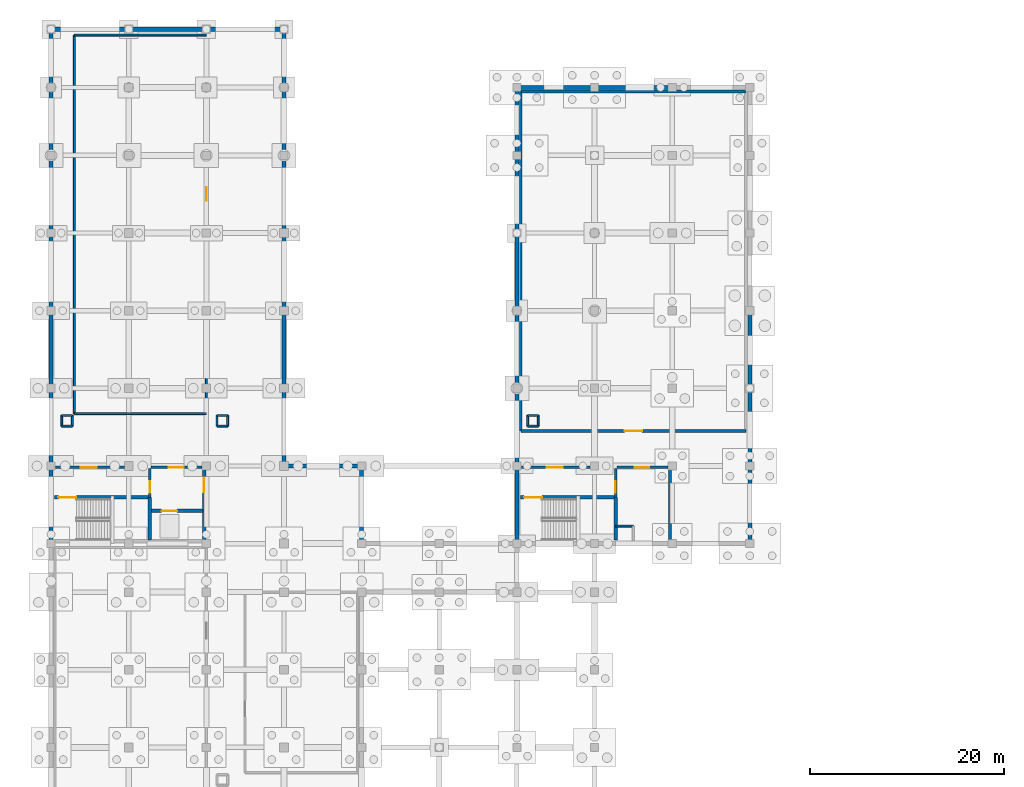
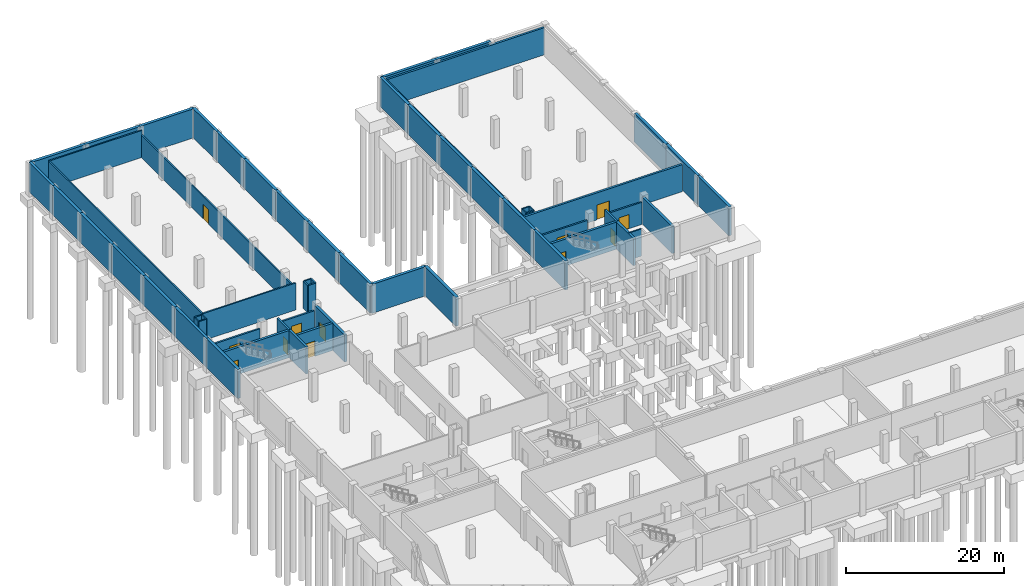
# One storey, part 16 of 26: 62 walls, 12 doors, 12 openings.
"""IFC4 building model written with IfcOpenShell, lengths in metres."""

from ifc_helpers import new_model, si_unit, direction, frame, frame_2d, origin, place, context, subcontext, project, spatial, rectangle, extrude, material, layer, layer_set, type_object, element, fill, save


model = new_model("IFC4")

# Units and contexts
model_context = context("Model", 3, precision=1e-05, world=origin(), true_north=direction((0.0, 1.0)))
body_context = subcontext(model_context, "Body", "Model", "MODEL_VIEW")
ifc_project = project(units=[si_unit("LENGTHUNIT", "METRE"), si_unit("AREAUNIT", "SQUARE_METRE"), si_unit("VOLUMEUNIT", "CUBIC_METRE"), si_unit("PLANEANGLEUNIT", "RADIAN"), si_unit("MASSUNIT", "GRAM", prefix="KILO")], contexts=[model_context])

# Site, building, storey
site_placement = place(None, origin())
site = spatial("IfcSite", under=ifc_project, at=site_placement, CompositionType="ELEMENT")
building_placement = place(site_placement, origin())
building = spatial("IfcBuilding", under=site, at=building_placement, Name="Qorikala Patio Media Centre", CompositionType="ELEMENT")
storey_placement = place(building_placement, frame((0.0, 0.0, -4.5)))
storey = spatial("IfcBuildingStorey", under=building, at=storey_placement, Name="B1", CompositionType="ELEMENT", Elevation=-4.5)

# Wall, opening, door
ifc_material_1 = material(Name="Concrete C35/45", Category="concrete")
ifc_layer_1 = layer(ifc_material_1, 0.300048828125)
ifc_layer_set_1 = layer_set([ifc_layer_1], Name="Concrete C35/45")
wall_type_1 = type_object("IfcWallType", Name="WL-AC-300", PredefinedType="SHEAR", material=ifc_layer_set_1)
wall_1_placement = place(storey_placement, frame((51.39990234375, 75.60009765625, 0.0), z_axis=(0.0, 0.0, 1.0), x_axis=(1.0, 0.0, 0.0)))
wall_1 = element("IfcWall", 1, at=wall_1_placement, inside=storey, type_object=wall_type_1, Name="B1 Interior Wall WINT-B1-PLT2-S", PredefinedType="SHEAR", context=body_context, shape_type="SweptSolid", body=[
    extrude(rectangle(XDim=23.2001953125, YDim=0.300048828125, at=frame_2d((11.60009765625, 0.0))), origin(), (0.0, 0.0, 1.0), 4.199951171875),
])
opening_1_placement = place(wall_1_placement, frame((10.699951171875, 0.0, 0.0)))
opening_1 = element("IfcOpeningElement", 2, at=opening_1_placement, cuts=wall_1, Name="Opening D224", PredefinedType="OPENING", context=body_context, shape_type="SweptSolid", body=[
    extrude(rectangle(XDim=1.800048828125, YDim=2.300048828125, at=frame_2d((0.89990234375, 1.14990234375))), frame((0.0, 0.159912109375, 0.0), z_axis=(0.0, -1.0, 0.0), x_axis=(1.0, 0.0, 0.0)), (0.0, 0.0, 1.0), 0.320068359375),
])
ifc_material_2 = material(Name="Powder-Coated Acoustic Fire Steel", Category="steel")
door_type_1 = type_object("IfcDoorType", Name="DR-FD90-180X230", OperationType="DOUBLE_DOOR_SINGLE_SWING", PredefinedType="DOOR", material=ifc_material_2)
door_1_placement = place(opening_1_placement, origin())
door_1 = element("IfcDoor", 3, at=door_1_placement, inside=storey, type_object=door_type_1, Name="Primary Heat Pump and Fire Water Plant Door 013", OperationType="DOUBLE_DOOR_SINGLE_SWING", OverallHeight=2.300048828125, OverallWidth=1.800048828125, PredefinedType="DOOR", context=body_context, shape_type="SweptSolid", body=[
    extrude(rectangle(XDim=1.800048828125, YDim=2.300048828125, at=frame_2d((0.89990234375, 1.14990234375))), frame((0.0, 0.02490234375, 0.0), z_axis=(0.0, -1.0, 0.0), x_axis=(1.0, 0.0, 0.0)), (0.0, 0.0, 1.0), 0.050048828125),
])
fill(opening_1, door_1)

# Walls
wall_2_placement = place(storey_placement, frame((51.39990234375, 110.60009765625, 0.0), z_axis=(0.0, 0.0, 1.0), x_axis=(1.0, 0.0, 0.0)))
element("IfcWall", 4, at=wall_2_placement, inside=storey, type_object=wall_type_1, Name="B1 Interior Wall WINT-B1-PLT2-N", PredefinedType="SHEAR", context=body_context, shape_type="SweptSolid", body=[
    extrude(rectangle(XDim=23.2001953125, YDim=0.300048828125, at=frame_2d((11.60009765625, 0.0))), origin(), (0.0, 0.0, 1.0), 4.199951171875),
])
wall_3_placement = place(storey_placement, frame((51.39990234375, 75.60009765625, 0.0), z_axis=(0.0, 0.0, 1.0), x_axis=(0.0, 1.0, 0.0)))
element("IfcWall", 5, at=wall_3_placement, inside=storey, type_object=wall_type_1, Name="B1 Interior Wall WINT-B1-PLT2-W", PredefinedType="SHEAR", context=body_context, shape_type="SweptSolid", body=[
    extrude(rectangle(XDim=35.0, YDim=0.300048828125, at=frame_2d((17.5, 0.0))), origin(), (0.0, 0.0, 1.0), 4.199951171875),
])
ifc_layer_2 = layer(ifc_material_1, 0.35009765625)
ifc_layer_set_2 = layer_set([ifc_layer_2], Name="Concrete C35/45")
wall_type_2 = type_object("IfcWallType", Name="WL-CORE-350", PredefinedType="SHEAR", material=ifc_layer_set_2)
wall_4_placement = place(storey_placement, frame((13.175048828125, 64.35009765625, 0.0), z_axis=(0.0, 0.0, 1.0), x_axis=(0.0, 1.0, 0.0)))
element("IfcWall", 6, at=wall_4_placement, inside=storey, type_object=wall_type_2, Name="B1 Interior Wall CW-B1-C3-SE", PredefinedType="SHEAR", context=body_context, shape_type="SweptSolid", body=[
    extrude(rectangle(XDim=4.4248046875, YDim=0.35009765625, at=frame_2d((2.21240234375, 0.0))), origin(), (0.0, 0.0, 1.0), 4.199951171875),
])

# Wall, opening, door
wall_5_placement = place(storey_placement, frame((18.77490234375, 64.199951171875, 0.0), z_axis=(0.0, 0.0, 1.0), x_axis=(0.0, 1.0, 0.0)))
wall_5 = element("IfcWall", 7, at=wall_5_placement, inside=storey, type_object=wall_type_2, Name="B1 Interior Wall CW-B1-C3-EE", PredefinedType="SHEAR", context=body_context, shape_type="SweptSolid", body=[
    extrude(rectangle(XDim=7.60009765625, YDim=0.35009765625, at=frame_2d((3.800048828125, 0.0))), origin(), (0.0, 0.0, 1.0), 4.199951171875),
])
opening_2_placement = place(wall_5_placement, frame((5.10009765625, 0.0, 0.0)))
opening_2 = element("IfcOpeningElement", 8, at=opening_2_placement, cuts=wall_5, Name="Opening D095", PredefinedType="OPENING", context=body_context, shape_type="SweptSolid", body=[
    extrude(rectangle(XDim=1.5, YDim=2.199951171875, at=frame_2d((0.75, 1.10009765625))), frame((0.0, 0.18505859375, 0.0), z_axis=(0.0, -1.0, 0.0), x_axis=(1.0, 0.0, 0.0)), (0.0, 0.0, 1.0), 0.3701171875),
])
door_type_2 = type_object("IfcDoorType", Name="DR-FD60-150X220", OperationType="DOUBLE_DOOR_SINGLE_SWING", PredefinedType="DOOR", material=ifc_material_2)
door_2_placement = place(opening_2_placement, origin())
door_2 = element("IfcDoor", 9, at=door_2_placement, inside=storey, type_object=door_type_2, Name="B1 Core C3 East Corridor Fire Door", OperationType="DOUBLE_DOOR_SINGLE_SWING", OverallHeight=2.199951171875, OverallWidth=1.5, PredefinedType="DOOR", context=body_context, shape_type="SweptSolid", body=[
    extrude(rectangle(XDim=1.5, YDim=2.199951171875, at=frame_2d((0.75, 1.10009765625))), frame((0.0, 0.02490234375, 0.0), z_axis=(0.0, -1.0, 0.0), x_axis=(1.0, 0.0, 0.0)), (0.0, 0.0, 1.0), 0.050048828125),
])
fill(opening_2, door_2)

wall_6_placement = place(storey_placement, frame((3.35009765625, 68.77490234375, 0.0), z_axis=(0.0, 0.0, 1.0), x_axis=(1.0, 0.0, 0.0)))
wall_6 = element("IfcWall", 10, at=wall_6_placement, inside=storey, type_object=wall_type_2, Name="B1 Interior Wall CW-B1-C3-SN", PredefinedType="SHEAR", context=body_context, shape_type="SweptSolid", body=[
    extrude(rectangle(XDim=9.824951171875, YDim=0.35009765625, at=frame_2d((4.91259765625, 0.0))), origin(), (0.0, 0.0, 1.0), 4.199951171875),
])
opening_3_placement = place(wall_6_placement, frame((0.39990234375, 0.0, 0.0)))
opening_3 = element("IfcOpeningElement", 11, at=opening_3_placement, cuts=wall_6, Name="Opening D091", PredefinedType="OPENING", context=body_context, shape_type="SweptSolid", body=[
    extrude(rectangle(XDim=1.85009765625, YDim=2.25, at=frame_2d((0.925048828125, 1.125))), frame((0.0, 0.18505859375, 0.0), z_axis=(0.0, -1.0, 0.0), x_axis=(1.0, 0.0, 0.0)), (0.0, 0.0, 1.0), 0.3701171875),
])
door_type_3 = type_object("IfcDoorType", Name="DR-FD60-185X225", OperationType="DOUBLE_DOOR_SINGLE_SWING", PredefinedType="DOOR", material=ifc_material_2)
door_3_placement = place(opening_3_placement, origin())
door_3 = element("IfcDoor", 12, at=door_3_placement, inside=storey, type_object=door_type_3, Name="B1 Stair ST-3 Fire Door", OperationType="DOUBLE_DOOR_SINGLE_SWING", OverallHeight=2.25, OverallWidth=1.85009765625, PredefinedType="DOOR", context=body_context, shape_type="SweptSolid", body=[
    extrude(rectangle(XDim=1.85009765625, YDim=2.25, at=frame_2d((0.925048828125, 1.125))), frame((0.0, 0.02490234375, 0.0), z_axis=(0.0, -1.0, 0.0), x_axis=(1.0, 0.0, 0.0)), (0.0, 0.0, 1.0), 0.050048828125),
])
fill(opening_3, door_3)

wall_7_placement = place(storey_placement, frame((13.175048828125, 67.375, 0.0), z_axis=(0.0, 0.0, 1.0), x_axis=(1.0, 0.0, 0.0)))
wall_7 = element("IfcWall", 13, at=wall_7_placement, inside=storey, type_object=wall_type_2, Name="B1 Interior Wall CW-B1-C3-LFN", PredefinedType="SHEAR", context=body_context, shape_type="SweptSolid", body=[
    extrude(rectangle(XDim=5.474853515625, YDim=0.35009765625, at=frame_2d((2.7373046875, 0.0))), origin(), (0.0, 0.0, 1.0), 4.199951171875),
])
opening_4_placement = place(wall_7_placement, frame((1.22509765625, 0.0, 0.0)))
opening_4 = element("IfcOpeningElement", 14, at=opening_4_placement, cuts=wall_7, Name="Opening LD24", PredefinedType="OPENING", context=body_context, shape_type="SweptSolid", body=[
    extrude(rectangle(XDim=1.60009765625, YDim=2.39990234375, at=frame_2d((0.800048828125, 1.199951171875))), frame((0.0, 0.18505859375, 0.0), z_axis=(0.0, -1.0, 0.0), x_axis=(1.0, 0.0, 0.0)), (0.0, 0.0, 1.0), 0.3701171875),
])
ifc_material_3 = material(Name="Heavy Stainless Steel Freight", Category="steel")
door_type_4 = type_object("IfcDoorType", Name="DR-LD-160X240", OperationType="DOUBLE_DOOR_SLIDING", PredefinedType="DOOR", material=ifc_material_3)
door_4_placement = place(opening_4_placement, origin())
door_4 = element("IfcDoor", 15, at=door_4_placement, inside=storey, type_object=door_type_4, Name="B1 Lift LS-01 Sliding Landing Door", OperationType="DOUBLE_DOOR_SLIDING", OverallHeight=2.39990234375, OverallWidth=1.60009765625, PredefinedType="DOOR", context=body_context, shape_type="SweptSolid", body=[
    extrude(rectangle(XDim=1.60009765625, YDim=2.39990234375, at=frame_2d((0.800048828125, 1.199951171875))), frame((0.0, 0.02490234375, 0.0), z_axis=(0.0, -1.0, 0.0), x_axis=(1.0, 0.0, 0.0)), (0.0, 0.0, 1.0), 0.050048828125),
])
fill(opening_4, door_4)

# Walls
wall_8_placement = place(storey_placement, frame((61.175048828125, 64.35009765625, 0.0), z_axis=(0.0, 0.0, 1.0), x_axis=(0.0, 1.0, 0.0)))
element("IfcWall", 16, at=wall_8_placement, inside=storey, type_object=wall_type_2, Name="B1 Interior Wall CW-B1-C6-SE", PredefinedType="SHEAR", context=body_context, shape_type="SweptSolid", body=[
    extrude(rectangle(XDim=4.4248046875, YDim=0.35009765625, at=frame_2d((2.21240234375, 0.0))), origin(), (0.0, 0.0, 1.0), 4.199951171875),
])
wall_9_placement = place(storey_placement, frame((66.77490234375, 64.199951171875, 0.0), z_axis=(0.0, 0.0, 1.0), x_axis=(0.0, 1.0, 0.0)))
element("IfcWall", 17, at=wall_9_placement, inside=storey, type_object=wall_type_2, Name="B1 Interior Wall CW-B1-C6-EE", PredefinedType="SHEAR", context=body_context, shape_type="SweptSolid", body=[
    extrude(rectangle(XDim=7.60009765625, YDim=0.35009765625, at=frame_2d((3.800048828125, 0.0))), origin(), (0.0, 0.0, 1.0), 4.199951171875),
])

# Wall, opening, door
wall_10_placement = place(storey_placement, frame((51.35009765625, 68.77490234375, 0.0), z_axis=(0.0, 0.0, 1.0), x_axis=(1.0, 0.0, 0.0)))
wall_10 = element("IfcWall", 18, at=wall_10_placement, inside=storey, type_object=wall_type_2, Name="B1 Interior Wall CW-B1-C6-SN", PredefinedType="SHEAR", context=body_context, shape_type="SweptSolid", body=[
    extrude(rectangle(XDim=9.824951171875, YDim=0.35009765625, at=frame_2d((4.91259765625, 0.0))), origin(), (0.0, 0.0, 1.0), 4.199951171875),
])
opening_5_placement = place(wall_10_placement, frame((0.39990234375, 0.0, 0.0)))
opening_5 = element("IfcOpeningElement", 19, at=opening_5_placement, cuts=wall_10, Name="Opening D176", PredefinedType="OPENING", context=body_context, shape_type="SweptSolid", body=[
    extrude(rectangle(XDim=1.85009765625, YDim=2.25, at=frame_2d((0.925048828125, 1.125))), frame((0.0, 0.18505859375, 0.0), z_axis=(0.0, -1.0, 0.0), x_axis=(1.0, 0.0, 0.0)), (0.0, 0.0, 1.0), 0.3701171875),
])
door_5_placement = place(opening_5_placement, origin())
door_5 = element("IfcDoor", 20, at=door_5_placement, inside=storey, type_object=door_type_3, Name="B1 Stair ST-6 Fire Door", OperationType="DOUBLE_DOOR_SINGLE_SWING", OverallHeight=2.25, OverallWidth=1.85009765625, PredefinedType="DOOR", context=body_context, shape_type="SweptSolid", body=[
    extrude(rectangle(XDim=1.85009765625, YDim=2.25, at=frame_2d((0.925048828125, 1.125))), frame((0.0, 0.02490234375, 0.0), z_axis=(0.0, -1.0, 0.0), x_axis=(1.0, 0.0, 0.0)), (0.0, 0.0, 1.0), 0.050048828125),
])
fill(opening_5, door_5)

ifc_layer_3 = layer(ifc_material_1, 0.25)
ifc_layer_set_3 = layer_set([ifc_layer_3], Name="Concrete C35/45")
wall_type_3 = type_object("IfcWallType", Name="WL-FFL-250", PredefinedType="PARTITIONING", material=ifc_layer_set_3)
wall_11_placement = place(storey_placement, frame((13.175048828125, 68.77490234375, 0.0), z_axis=(0.0, 0.0, 1.0), x_axis=(0.0, 1.0, 0.0)))
wall_11 = element("IfcWall", 21, at=wall_11_placement, inside=storey, type_object=wall_type_3, Name="B1 Interior Wall CW-B1-C3-LBD", PredefinedType="PARTITIONING", context=body_context, shape_type="SweptSolid", body=[
    extrude(rectangle(XDim=2.97509765625, YDim=0.25, at=frame_2d((1.487548828125, 0.0))), origin(), (0.0, 0.0, 1.0), 4.199951171875),
])
opening_6_placement = place(wall_11_placement, frame((0.449951171875, 0.0, 0.0)))
opening_6 = element("IfcOpeningElement", 22, at=opening_6_placement, cuts=wall_11, Name="Opening D092", PredefinedType="OPENING", context=body_context, shape_type="SweptSolid", body=[
    extrude(rectangle(XDim=1.199951171875, YDim=2.199951171875, at=frame_2d((0.60009765625, 1.10009765625))), frame((0.0, 0.135009765625, 0.0), z_axis=(0.0, -1.0, 0.0), x_axis=(1.0, 0.0, 0.0)), (0.0, 0.0, 1.0), 0.27001953125),
])
ifc_material_4 = material(Name="Acoustic Fire Timber and Steel", Category="steel")
door_type_5 = type_object("IfcDoorType", Name="DR-FD60-120X220", OperationType="NOTDEFINED", PredefinedType="DOOR", material=ifc_material_4)
door_6_placement = place(opening_6_placement, origin())
door_6 = element("IfcDoor", 23, at=door_6_placement, inside=storey, type_object=door_type_5, Name="B1 Core C3 Firefighting Lobby Cross Door", OperationType="SINGLE_SWING_LEFT", OverallHeight=2.199951171875, OverallWidth=1.199951171875, PredefinedType="DOOR", context=body_context, shape_type="SweptSolid", body=[
    extrude(rectangle(XDim=1.199951171875, YDim=2.199951171875, at=frame_2d((0.60009765625, 1.10009765625))), frame((0.0, 0.02490234375, 0.0), z_axis=(0.0, -1.0, 0.0), x_axis=(1.0, 0.0, 0.0)), (0.0, 0.0, 1.0), 0.050048828125),
])
fill(opening_6, door_6)

wall_12_placement = place(storey_placement, frame((3.449951171875, 71.85009765625, 0.0), z_axis=(0.0, 0.0, 1.0), x_axis=(1.0, 0.0, 0.0)))
wall_12 = element("IfcWall", 24, at=wall_12_placement, inside=storey, type_object=wall_type_3, Name="B1 Interior Wall CW-B1-C3-CN1", PredefinedType="PARTITIONING", context=body_context, shape_type="SweptSolid", body=[
    extrude(rectangle(XDim=7.10009765625, YDim=0.25, at=frame_2d((3.550048828125, 0.0))), origin(), (0.0, 0.0, 1.0), 3.43505859375),
])
opening_7_placement = place(wall_12_placement, frame((2.60009765625, 0.0, 0.0)))
opening_7 = element("IfcOpeningElement", 25, at=opening_7_placement, cuts=wall_12, Name="Opening D093", PredefinedType="OPENING", context=body_context, shape_type="SweptSolid", body=[
    extrude(rectangle(XDim=1.64990234375, YDim=2.25, at=frame_2d((0.824951171875, 1.125))), frame((0.0, 0.135009765625, 0.0), z_axis=(0.0, -1.0, 0.0), x_axis=(1.0, 0.0, 0.0)), (0.0, 0.0, 1.0), 0.27001953125),
])
door_type_6 = type_object("IfcDoorType", Name="DR-FD60-165X225", OperationType="DOUBLE_DOOR_SINGLE_SWING", PredefinedType="DOOR", material=ifc_material_2)
door_7_placement = place(opening_7_placement, frame((1.64990234375, 0.0, 0.0), z_axis=(0.0, 0.0, 1.0), x_axis=(-1.0, 0.0, 0.0)))
door_7 = element("IfcDoor", 26, at=door_7_placement, inside=storey, type_object=door_type_6, Name="B1 Core C3 Vestibule Door", OperationType="DOUBLE_DOOR_SINGLE_SWING", OverallHeight=2.25, OverallWidth=1.64990234375, PredefinedType="DOOR", context=body_context, shape_type="SweptSolid", body=[
    extrude(rectangle(XDim=1.64990234375, YDim=2.25, at=frame_2d((0.824951171875, 1.125))), frame((0.0, 0.02490234375, 0.0), z_axis=(0.0, -1.0, 0.0), x_axis=(1.0, 0.0, 0.0)), (0.0, 0.0, 1.0), 0.050048828125),
])
fill(opening_7, door_7)

wall_13_placement = place(storey_placement, frame((13.300048828125, 71.85009765625, 0.0), z_axis=(0.0, 0.0, 1.0), x_axis=(1.0, 0.0, 0.0)))
wall_13 = element("IfcWall", 27, at=wall_13_placement, inside=storey, type_object=wall_type_3, Name="B1 Interior Wall CW-B1-C3-CN2", PredefinedType="PARTITIONING", context=body_context, shape_type="SweptSolid", body=[
    extrude(rectangle(XDim=5.25, YDim=0.25, at=frame_2d((2.625, 0.0))), origin(), (0.0, 0.0, 1.0), 3.43505859375),
])
opening_8_placement = place(wall_13_placement, frame((1.85009765625, 0.0, 0.0)))
opening_8 = element("IfcOpeningElement", 28, at=opening_8_placement, cuts=wall_13, Name="Opening D094", PredefinedType="OPENING", context=body_context, shape_type="SweptSolid", body=[
    extrude(rectangle(XDim=1.5, YDim=2.199951171875, at=frame_2d((0.75, 1.10009765625))), frame((0.0, 0.135009765625, 0.0), z_axis=(0.0, -1.0, 0.0), x_axis=(1.0, 0.0, 0.0)), (0.0, 0.0, 1.0), 0.27001953125),
])
door_8_placement = place(opening_8_placement, origin())
door_8 = element("IfcDoor", 29, at=door_8_placement, inside=storey, type_object=door_type_2, Name="B1 Core C3 Firefighting Lobby Door", OperationType="DOUBLE_DOOR_SINGLE_SWING", OverallHeight=2.199951171875, OverallWidth=1.5, PredefinedType="DOOR", context=body_context, shape_type="SweptSolid", body=[
    extrude(rectangle(XDim=1.5, YDim=2.199951171875, at=frame_2d((0.75, 1.10009765625))), frame((0.0, 0.02490234375, 0.0), z_axis=(0.0, -1.0, 0.0), x_axis=(1.0, 0.0, 0.0)), (0.0, 0.0, 1.0), 0.050048828125),
])
fill(opening_8, door_8)

wall_14_placement = place(storey_placement, frame((61.175048828125, 68.77490234375, 0.0), z_axis=(0.0, 0.0, 1.0), x_axis=(0.0, 1.0, 0.0)))
wall_14 = element("IfcWall", 30, at=wall_14_placement, inside=storey, type_object=wall_type_3, Name="B1 Interior Wall CW-B1-C6-LBD", PredefinedType="PARTITIONING", context=body_context, shape_type="SweptSolid", body=[
    extrude(rectangle(XDim=2.97509765625, YDim=0.25, at=frame_2d((1.487548828125, 0.0))), origin(), (0.0, 0.0, 1.0), 4.199951171875),
])
opening_9_placement = place(wall_14_placement, frame((0.449951171875, 0.0, 0.0)))
opening_9 = element("IfcOpeningElement", 31, at=opening_9_placement, cuts=wall_14, Name="Opening D177", PredefinedType="OPENING", context=body_context, shape_type="SweptSolid", body=[
    extrude(rectangle(XDim=1.199951171875, YDim=2.199951171875, at=frame_2d((0.60009765625, 1.10009765625))), frame((0.0, 0.135009765625, 0.0), z_axis=(0.0, -1.0, 0.0), x_axis=(1.0, 0.0, 0.0)), (0.0, 0.0, 1.0), 0.27001953125),
])
door_9_placement = place(opening_9_placement, origin())
door_9 = element("IfcDoor", 32, at=door_9_placement, inside=storey, type_object=door_type_5, Name="B1 Core C6 Firefighting Lobby Cross Door", OperationType="SINGLE_SWING_LEFT", OverallHeight=2.199951171875, OverallWidth=1.199951171875, PredefinedType="DOOR", context=body_context, shape_type="SweptSolid", body=[
    extrude(rectangle(XDim=1.199951171875, YDim=2.199951171875, at=frame_2d((0.60009765625, 1.10009765625))), frame((0.0, 0.02490234375, 0.0), z_axis=(0.0, -1.0, 0.0), x_axis=(1.0, 0.0, 0.0)), (0.0, 0.0, 1.0), 0.050048828125),
])
fill(opening_9, door_9)

wall_15_placement = place(storey_placement, frame((51.449951171875, 71.85009765625, 0.0), z_axis=(0.0, 0.0, 1.0), x_axis=(1.0, 0.0, 0.0)))
wall_15 = element("IfcWall", 33, at=wall_15_placement, inside=storey, type_object=wall_type_3, Name="B1 Interior Wall CW-B1-C6-CN1", PredefinedType="PARTITIONING", context=body_context, shape_type="SweptSolid", body=[
    extrude(rectangle(XDim=7.10009765625, YDim=0.25, at=frame_2d((3.550048828125, 0.0))), origin(), (0.0, 0.0, 1.0), 3.43505859375),
])
opening_10_placement = place(wall_15_placement, frame((2.60009765625, 0.0, 0.0)))
opening_10 = element("IfcOpeningElement", 34, at=opening_10_placement, cuts=wall_15, Name="Opening D178", PredefinedType="OPENING", context=body_context, shape_type="SweptSolid", body=[
    extrude(rectangle(XDim=1.64990234375, YDim=2.25, at=frame_2d((0.824951171875, 1.125))), frame((0.0, 0.135009765625, 0.0), z_axis=(0.0, -1.0, 0.0), x_axis=(1.0, 0.0, 0.0)), (0.0, 0.0, 1.0), 0.27001953125),
])
door_10_placement = place(opening_10_placement, frame((1.64990234375, 0.0, 0.0), z_axis=(0.0, 0.0, 1.0), x_axis=(-1.0, 0.0, 0.0)))
door_10 = element("IfcDoor", 35, at=door_10_placement, inside=storey, type_object=door_type_6, Name="B1 Core C6 Vestibule Door", OperationType="DOUBLE_DOOR_SINGLE_SWING", OverallHeight=2.25, OverallWidth=1.64990234375, PredefinedType="DOOR", context=body_context, shape_type="SweptSolid", body=[
    extrude(rectangle(XDim=1.64990234375, YDim=2.25, at=frame_2d((0.824951171875, 1.125))), frame((0.0, 0.02490234375, 0.0), z_axis=(0.0, -1.0, 0.0), x_axis=(1.0, 0.0, 0.0)), (0.0, 0.0, 1.0), 0.050048828125),
])
fill(opening_10, door_10)

wall_16_placement = place(storey_placement, frame((61.300048828125, 71.85009765625, 0.0), z_axis=(0.0, 0.0, 1.0), x_axis=(1.0, 0.0, 0.0)))
wall_16 = element("IfcWall", 36, at=wall_16_placement, inside=storey, type_object=wall_type_3, Name="B1 Interior Wall CW-B1-C6-CN2", PredefinedType="PARTITIONING", context=body_context, shape_type="SweptSolid", body=[
    extrude(rectangle(XDim=5.25, YDim=0.25, at=frame_2d((2.625, 0.0))), origin(), (0.0, 0.0, 1.0), 3.43505859375),
])
opening_11_placement = place(wall_16_placement, frame((1.85009765625, 0.0, 0.0)))
opening_11 = element("IfcOpeningElement", 37, at=opening_11_placement, cuts=wall_16, Name="Opening D179", PredefinedType="OPENING", context=body_context, shape_type="SweptSolid", body=[
    extrude(rectangle(XDim=1.5, YDim=2.199951171875, at=frame_2d((0.75, 1.10009765625))), frame((0.0, 0.135009765625, 0.0), z_axis=(0.0, -1.0, 0.0), x_axis=(1.0, 0.0, 0.0)), (0.0, 0.0, 1.0), 0.27001953125),
])
door_11_placement = place(opening_11_placement, origin())
door_11 = element("IfcDoor", 38, at=door_11_placement, inside=storey, type_object=door_type_2, Name="B1 Core C6 Firefighting Lobby Door", OperationType="DOUBLE_DOOR_SINGLE_SWING", OverallHeight=2.199951171875, OverallWidth=1.5, PredefinedType="DOOR", context=body_context, shape_type="SweptSolid", body=[
    extrude(rectangle(XDim=1.5, YDim=2.199951171875, at=frame_2d((0.75, 1.10009765625))), frame((0.0, 0.02490234375, 0.0), z_axis=(0.0, -1.0, 0.0), x_axis=(1.0, 0.0, 0.0)), (0.0, 0.0, 1.0), 0.050048828125),
])
fill(opening_11, door_11)

# Walls
ifc_material_5 = material(Name="Concrete C30/37", Category="concrete")
ifc_layer_4 = layer(ifc_material_5, 0.419921875)
ifc_layer_set_4 = layer_set([ifc_layer_4], Name="Concrete C30/37")
wall_type_4 = type_object("IfcWallType", Name="WL-RET-420", PredefinedType="USERDEFINED", material=ifc_layer_set_4)
for number, where, z_axis, x_axis, name in (
    (39, (3.0, 64.0, 0.0), (0.0, 0.0, 1.0), (0.0, 1.0, 0.0), "B1 Perimeter Retaining Wall WL-B1-RET-044"),
    (40, (3.0, 72.0, 0.0), (0.0, 0.0, 1.0), (0.0, 1.0, 0.0), "B1 Perimeter Retaining Wall WL-B1-RET-045"),
    (41, (3.0, 80.0, 0.0), (0.0, 0.0, 1.0), (0.0, 1.0, 0.0), "B1 Perimeter Retaining Wall WL-B1-RET-046"),
    (42, (3.0, 88.0, 0.0), (0.0, 0.0, 1.0), (0.0, 1.0, 0.0), "B1 Perimeter Retaining Wall WL-B1-RET-047"),
    (43, (3.0, 96.0, 0.0), (0.0, 0.0, 1.0), (0.0, 1.0, 0.0), "B1 Perimeter Retaining Wall WL-B1-RET-048"),
):
    element("IfcWall", number, at=place(storey_placement, frame(where, z_axis=z_axis, x_axis=x_axis)), inside=storey, type_object=wall_type_4, Name=name, ObjectType="RETAINING WALL", PredefinedType="USERDEFINED", context=body_context, shape_type="SweptSolid", body=[
        extrude(rectangle(XDim=8.0, YDim=0.419921875, at=frame_2d((4.0, 0.0))), origin(), (0.0, 0.0, 1.0), 4.5),
    ])
wall_17_placement = place(storey_placement, frame((3.0, 104.0, 0.0), z_axis=(0.0, 0.0, 1.0), x_axis=(0.0, 1.0, 0.0)))
element("IfcWall", 44, at=wall_17_placement, inside=storey, type_object=wall_type_4, Name="B1 Perimeter Retaining Wall WL-B1-RET-049", ObjectType="RETAINING WALL", PredefinedType="USERDEFINED", context=body_context, shape_type="SweptSolid", body=[
    extrude(rectangle(XDim=7.0, YDim=0.419921875, at=frame_2d((3.5, 0.0))), origin(), (0.0, 0.0, 1.0), 4.5),
])
wall_18_placement = place(storey_placement, frame((3.0, 111.0, 0.0), z_axis=(0.0, 0.0, 1.0), x_axis=(0.0, 1.0, 0.0)))
element("IfcWall", 45, at=wall_18_placement, inside=storey, type_object=wall_type_4, Name="B1 Perimeter Retaining Wall WL-B1-RET-050", ObjectType="RETAINING WALL", PredefinedType="USERDEFINED", context=body_context, shape_type="SweptSolid", body=[
    extrude(rectangle(XDim=6.0, YDim=0.419921875, at=frame_2d((3.0, 0.0))), origin(), (0.0, 0.0, 1.0), 4.5),
])
for number, where, z_axis, x_axis, name in (
    (46, (3.0, 117.0, 0.0), (0.0, 0.0, 1.0), (1.0, 0.0, 0.0), "B1 Perimeter Retaining Wall WL-B1-RET-051"),
    (47, (11.0, 117.0, 0.0), (0.0, 0.0, 1.0), (1.0, 0.0, 0.0), "B1 Perimeter Retaining Wall WL-B1-RET-052"),
    (48, (19.0, 117.0, 0.0), (0.0, 0.0, 1.0), (1.0, 0.0, 0.0), "B1 Perimeter Retaining Wall WL-B1-RET-053"),
):
    element("IfcWall", number, at=place(storey_placement, frame(where, z_axis=z_axis, x_axis=x_axis)), inside=storey, type_object=wall_type_4, Name=name, ObjectType="RETAINING WALL", PredefinedType="USERDEFINED", context=body_context, shape_type="SweptSolid", body=[
        extrude(rectangle(XDim=8.0, YDim=0.419921875, at=frame_2d((4.0, 0.0))), origin(), (0.0, 0.0, 1.0), 4.5),
    ])
wall_19_placement = place(storey_placement, frame((27.0, 117.0, 0.0), z_axis=(0.0, 0.0, 1.0), x_axis=(0.0, -1.0, 0.0)))
element("IfcWall", 49, at=wall_19_placement, inside=storey, type_object=wall_type_4, Name="B1 Perimeter Retaining Wall WL-B1-RET-054", ObjectType="RETAINING WALL", PredefinedType="USERDEFINED", context=body_context, shape_type="SweptSolid", body=[
    extrude(rectangle(XDim=6.0, YDim=0.419921875, at=frame_2d((3.0, 0.0))), origin(), (0.0, 0.0, 1.0), 4.5),
])
wall_20_placement = place(storey_placement, frame((27.0, 111.0, 0.0), z_axis=(0.0, 0.0, 1.0), x_axis=(0.0, -1.0, 0.0)))
element("IfcWall", 50, at=wall_20_placement, inside=storey, type_object=wall_type_4, Name="B1 Perimeter Retaining Wall WL-B1-RET-055", ObjectType="RETAINING WALL", PredefinedType="USERDEFINED", context=body_context, shape_type="SweptSolid", body=[
    extrude(rectangle(XDim=7.0, YDim=0.419921875, at=frame_2d((3.5, 0.0))), origin(), (0.0, 0.0, 1.0), 4.5),
])
for number, where, z_axis, x_axis, name in (
    (51, (27.0, 104.0, 0.0), (0.0, 0.0, 1.0), (0.0, -1.0, 0.0), "B1 Perimeter Retaining Wall WL-B1-RET-056"),
    (52, (27.0, 96.0, 0.0), (0.0, 0.0, 1.0), (0.0, -1.0, 0.0), "B1 Perimeter Retaining Wall WL-B1-RET-057"),
    (53, (27.0, 88.0, 0.0), (0.0, 0.0, 1.0), (0.0, -1.0, 0.0), "B1 Perimeter Retaining Wall WL-B1-RET-058"),
    (54, (27.0, 80.0, 0.0), (0.0, 0.0, 1.0), (0.0, -1.0, 0.0), "B1 Perimeter Retaining Wall WL-B1-RET-059"),
    (55, (27.0, 72.0, 0.0), (0.0, 0.0, 1.0), (1.0, 0.0, 0.0), "B1 Perimeter Retaining Wall WL-B1-RET-060"),
    (56, (35.0, 72.0, 0.0), (0.0, 0.0, 1.0), (0.0, -1.0, 0.0), "B1 Perimeter Retaining Wall WL-B1-RET-061"),
    (57, (51.0, 64.0, 0.0), (0.0, 0.0, 1.0), (0.0, 1.0, 0.0), "B1 Perimeter Retaining Wall WL-B1-RET-082"),
    (58, (51.0, 72.0, 0.0), (0.0, 0.0, 1.0), (0.0, 1.0, 0.0), "B1 Perimeter Retaining Wall WL-B1-RET-083"),
    (59, (51.0, 80.0, 0.0), (0.0, 0.0, 1.0), (0.0, 1.0, 0.0), "B1 Perimeter Retaining Wall WL-B1-RET-084"),
    (60, (51.0, 88.0, 0.0), (0.0, 0.0, 1.0), (0.0, 1.0, 0.0), "B1 Perimeter Retaining Wall WL-B1-RET-085"),
    (61, (51.0, 96.0, 0.0), (0.0, 0.0, 1.0), (0.0, 1.0, 0.0), "B1 Perimeter Retaining Wall WL-B1-RET-086"),
):
    element("IfcWall", number, at=place(storey_placement, frame(where, z_axis=z_axis, x_axis=x_axis)), inside=storey, type_object=wall_type_4, Name=name, ObjectType="RETAINING WALL", PredefinedType="USERDEFINED", context=body_context, shape_type="SweptSolid", body=[
        extrude(rectangle(XDim=8.0, YDim=0.419921875, at=frame_2d((4.0, 0.0))), origin(), (0.0, 0.0, 1.0), 4.5),
    ])
wall_21_placement = place(storey_placement, frame((51.0, 104.0, 0.0), z_axis=(0.0, 0.0, 1.0), x_axis=(0.0, 1.0, 0.0)))
element("IfcWall", 62, at=wall_21_placement, inside=storey, type_object=wall_type_4, Name="B1 Perimeter Retaining Wall WL-B1-RET-087", ObjectType="RETAINING WALL", PredefinedType="USERDEFINED", context=body_context, shape_type="SweptSolid", body=[
    extrude(rectangle(XDim=7.0, YDim=0.419921875, at=frame_2d((3.5, 0.0))), origin(), (0.0, 0.0, 1.0), 4.5),
])
for number, where, z_axis, x_axis, name in (
    (63, (51.0, 111.0, 0.0), (0.0, 0.0, 1.0), (1.0, 0.0, 0.0), "B1 Perimeter Retaining Wall WL-B1-RET-088"),
    (64, (59.0, 111.0, 0.0), (0.0, 0.0, 1.0), (1.0, 0.0, 0.0), "B1 Perimeter Retaining Wall WL-B1-RET-089"),
    (65, (75.0, 88.0, 0.0), (0.0, 0.0, 1.0), (0.0, -1.0, 0.0), "B1 Perimeter Retaining Wall WL-B1-RET-094"),
    (66, (75.0, 80.0, 0.0), (0.0, 0.0, 1.0), (0.0, -1.0, 0.0), "B1 Perimeter Retaining Wall WL-B1-RET-095"),
    (67, (75.0, 72.0, 0.0), (0.0, 0.0, 1.0), (0.0, -1.0, 0.0), "B1 Perimeter Retaining Wall WL-B1-RET-096"),
):
    element("IfcWall", number, at=place(storey_placement, frame(where, z_axis=z_axis, x_axis=x_axis)), inside=storey, type_object=wall_type_4, Name=name, ObjectType="RETAINING WALL", PredefinedType="USERDEFINED", context=body_context, shape_type="SweptSolid", body=[
        extrude(rectangle(XDim=8.0, YDim=0.419921875, at=frame_2d((4.0, 0.0))), origin(), (0.0, 0.0, 1.0), 4.5),
    ])
ifc_material_6 = material(Name="Acoustic Masonry and Plaster Concrete C30/37", Category="masonry")
ifc_layer_5 = layer(ifc_material_6, 0.199951171875)
ifc_layer_set_5 = layer_set([ifc_layer_5], Name="Acoustic Masonry and Plaster Concrete C30/37")
wall_type_5 = type_object("IfcWallType", Name="WL-ST-200", PredefinedType="PARTITIONING", material=ifc_layer_set_5)
wall_22_placement = place(storey_placement, frame((61.199951171875, 65.800048828125, 0.0), z_axis=(0.0, 0.0, 1.0), x_axis=(1.0, 0.0, 0.0)))
element("IfcWall", 68, at=wall_22_placement, inside=storey, type_object=wall_type_5, Name="B1 Interior Wall CW-B1-C6-RSN", PredefinedType="PARTITIONING", context=body_context, shape_type="SweptSolid", body=[
    extrude(rectangle(XDim=1.800048828125, YDim=0.199951171875, at=frame_2d((0.89990234375, 0.0))), origin(), (0.0, 0.0, 1.0), 4.199951171875),
])
wall_23_placement = place(storey_placement, frame((5.39990234375, 77.39990234375, 0.0), z_axis=(0.0, 0.0, 1.0), x_axis=(1.0, 0.0, 0.0)))
element("IfcWall", 69, at=wall_23_placement, inside=storey, type_object=wall_type_5, Name="B1 Interior Wall WINT-B1-STR3-S", PredefinedType="PARTITIONING", context=body_context, shape_type="SweptSolid", body=[
    extrude(rectangle(XDim=13.60009765625, YDim=0.199951171875, at=frame_2d((6.800048828125, 0.0))), origin(), (0.0, 0.0, 1.0), 4.199951171875),
])

# Wall, opening, door
wall_24_placement = place(storey_placement, frame((19.0, 77.39990234375, 0.0), z_axis=(0.0, 0.0, 1.0), x_axis=(0.0, 1.0, 0.0)))
wall_24 = element("IfcWall", 70, at=wall_24_placement, inside=storey, type_object=wall_type_5, Name="B1 Interior Wall WINT-B1-STR3-E", PredefinedType="PARTITIONING", context=body_context, shape_type="SweptSolid", body=[
    extrude(rectangle(XDim=39.0, YDim=0.199951171875, at=frame_2d((19.5, 0.0))), origin(), (0.0, 0.0, 1.0), 3.485107421875),
])
opening_12_placement = place(wall_24_placement, frame((21.904052734375, 0.0, 0.0)))
opening_12 = element("IfcOpeningElement", 71, at=opening_12_placement, cuts=wall_24, Name="Opening D223", PredefinedType="OPENING", context=body_context, shape_type="SweptSolid", body=[
    extrude(rectangle(XDim=1.39990234375, YDim=2.219970703125, at=frame_2d((0.699951171875, 1.10986328125))), frame((0.0, 0.10986328125, 0.0), z_axis=(0.0, -1.0, 0.0), x_axis=(1.0, 0.0, 0.0)), (0.0, 0.0, 1.0), 0.219970703125),
])
door_type_7 = type_object("IfcDoorType", Name="DR-FD60-140X222", OperationType="DOUBLE_DOOR_SINGLE_SWING", PredefinedType="DOOR", material=ifc_material_2)
door_12_placement = place(opening_12_placement, origin())
door_12 = element("IfcDoor", 72, at=door_12_placement, inside=storey, type_object=door_type_7, Name="Studio Camera Vault Door 012", OperationType="DOUBLE_DOOR_SINGLE_SWING", OverallHeight=2.219970703125, OverallWidth=1.39990234375, PredefinedType="DOOR", context=body_context, shape_type="SweptSolid", body=[
    extrude(rectangle(XDim=1.39990234375, YDim=2.219970703125, at=frame_2d((0.699951171875, 1.10986328125))), frame((0.0, 0.02490234375, 0.0), z_axis=(0.0, -1.0, 0.0), x_axis=(1.0, 0.0, 0.0)), (0.0, 0.0, 1.0), 0.050048828125),
])
fill(opening_12, door_12)

# Walls
wall_25_placement = place(storey_placement, frame((5.39990234375, 116.39990234375, 0.0), z_axis=(0.0, 0.0, 1.0), x_axis=(1.0, 0.0, 0.0)))
element("IfcWall", 73, at=wall_25_placement, inside=storey, type_object=wall_type_5, Name="B1 Interior Wall WINT-B1-STR3-N", PredefinedType="PARTITIONING", context=body_context, shape_type="SweptSolid", body=[
    extrude(rectangle(XDim=13.60009765625, YDim=0.199951171875, at=frame_2d((6.800048828125, 0.0))), origin(), (0.0, 0.0, 1.0), 4.199951171875),
])
wall_26_placement = place(storey_placement, frame((5.39990234375, 77.39990234375, 0.0), z_axis=(0.0, 0.0, 1.0), x_axis=(0.0, 1.0, 0.0)))
element("IfcWall", 74, at=wall_26_placement, inside=storey, type_object=wall_type_5, Name="B1 Interior Wall WINT-B1-STR3-W", PredefinedType="PARTITIONING", context=body_context, shape_type="SweptSolid", body=[
    extrude(rectangle(XDim=39.0, YDim=0.199951171875, at=frame_2d((19.5, 0.0))), origin(), (0.0, 0.0, 1.0), 4.199951171875),
])
for number, where, z_axis, x_axis, name in (
    (75, (4.10009765625, 76.10009765625, 0.0), (0.0, 0.0, 1.0), (1.0, 0.0, 0.0), "B1 Interior Wall RSW-5-B1-S"),
    (76, (4.10009765625, 77.199951171875, 0.0), (0.0, 0.0, 1.0), (1.0, 0.0, 0.0), "B1 Interior Wall RSW-5-B1-N"),
    (77, (4.10009765625, 76.10009765625, 0.0), (0.0, 0.0, 1.0), (0.0, 1.0, 0.0), "B1 Interior Wall RSW-5-B1-W"),
    (78, (5.199951171875, 76.10009765625, 0.0), (0.0, 0.0, 1.0), (0.0, 1.0, 0.0), "B1 Interior Wall RSW-5-B1-E"),
    (79, (20.10009765625, 76.10009765625, 0.0), (0.0, 0.0, 1.0), (1.0, 0.0, 0.0), "B1 Interior Wall RSW-6-B1-S"),
    (80, (20.10009765625, 77.199951171875, 0.0), (0.0, 0.0, 1.0), (1.0, 0.0, 0.0), "B1 Interior Wall RSW-6-B1-N"),
    (81, (20.10009765625, 76.10009765625, 0.0), (0.0, 0.0, 1.0), (0.0, 1.0, 0.0), "B1 Interior Wall RSW-6-B1-W"),
    (82, (21.199951171875, 76.10009765625, 0.0), (0.0, 0.0, 1.0), (0.0, 1.0, 0.0), "B1 Interior Wall RSW-6-B1-E"),
    (83, (52.10009765625, 76.10009765625, 0.0), (0.0, 0.0, 1.0), (1.0, 0.0, 0.0), "B1 Interior Wall RSW-7-B1-S"),
    (84, (52.10009765625, 77.199951171875, 0.0), (0.0, 0.0, 1.0), (1.0, 0.0, 0.0), "B1 Interior Wall RSW-7-B1-N"),
    (85, (52.10009765625, 76.10009765625, 0.0), (0.0, 0.0, 1.0), (0.0, 1.0, 0.0), "B1 Interior Wall RSW-7-B1-W"),
    (86, (53.199951171875, 76.10009765625, 0.0), (0.0, 0.0, 1.0), (0.0, 1.0, 0.0), "B1 Interior Wall RSW-7-B1-E"),
):
    element("IfcWall", number, at=place(storey_placement, frame(where, z_axis=z_axis, x_axis=x_axis)), inside=storey, type_object=wall_type_5, Name=name, PredefinedType="PARTITIONING", context=body_context, shape_type="SweptSolid", body=[
        extrude(rectangle(XDim=1.099853515625, YDim=0.199951171875, at=frame_2d((0.5498046875, 0.0))), origin(), (0.0, 0.0, 1.0), 4.199951171875),
    ])

save(model, "model.ifc")
